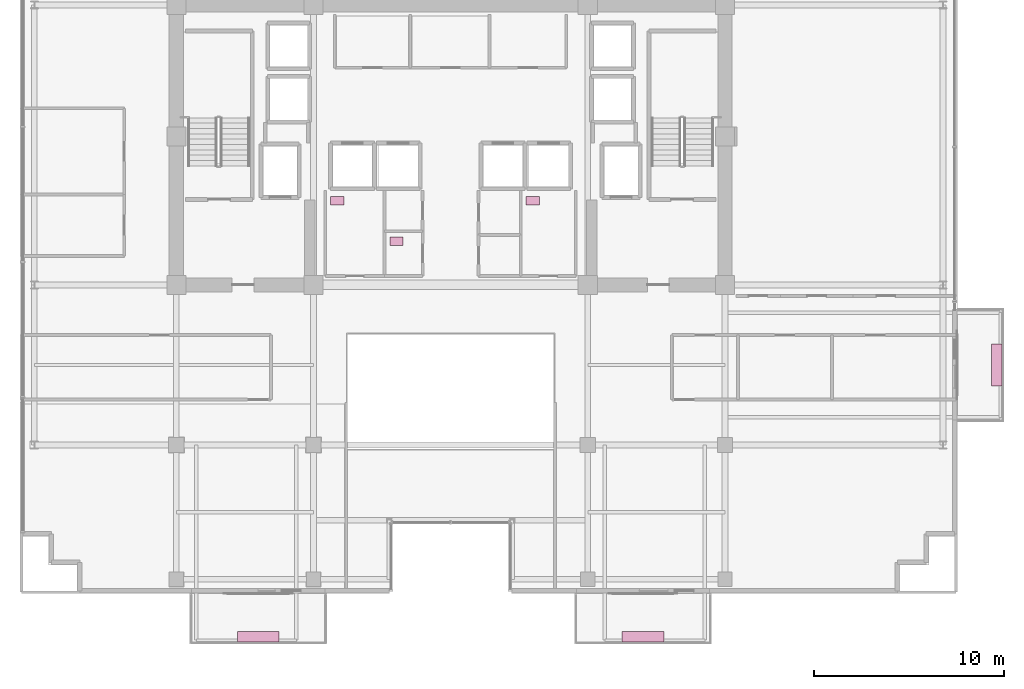
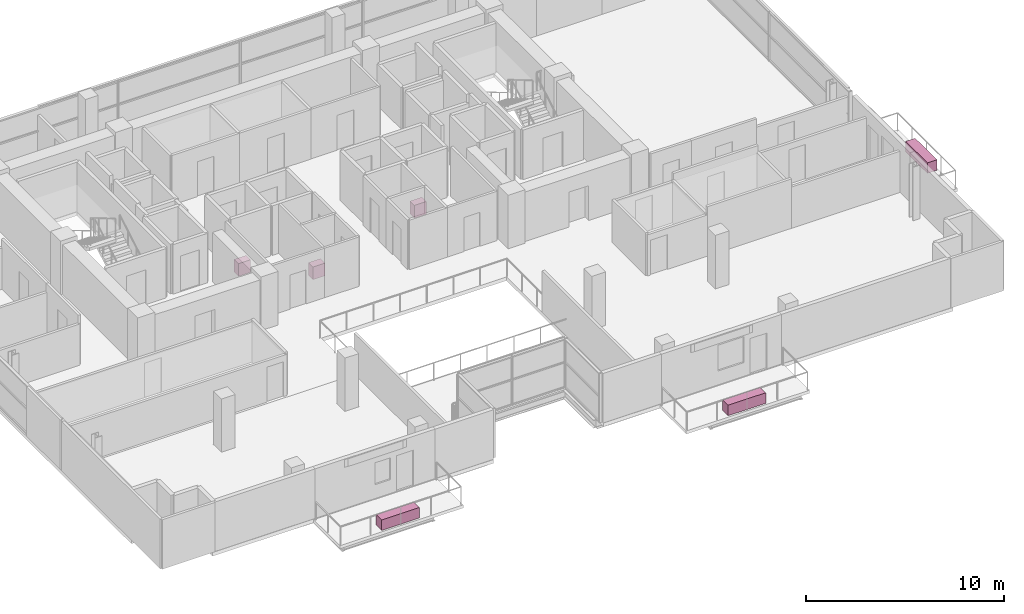
# One storey, part 22 of 22: 6 furnishings.
"""IFC4 building model written with IfcOpenShell, lengths in metres."""

from ifc_helpers import new_model, si_unit, direction, frame, origin, origin_2d, place, context, subcontext, project, spatial, rectangle, extrude, source, transform, mapped, material, type_object, element, save


model = new_model("IFC4")

# Units and contexts
model_context = context("Model", 3, precision=1e-05, world=origin(), true_north=direction((0.0, 1.0)))
body_context = subcontext(model_context, "Body", "Model", "MODEL_VIEW")
ifc_project = project(units=[si_unit("LENGTHUNIT", "METRE"), si_unit("AREAUNIT", "SQUARE_METRE"), si_unit("VOLUMEUNIT", "CUBIC_METRE"), si_unit("PLANEANGLEUNIT", "RADIAN"), si_unit("MASSUNIT", "GRAM", prefix="KILO")], contexts=[model_context])

# Site, building, storey
site_placement = place(None, origin())
site = spatial("IfcSite", under=ifc_project, at=site_placement, CompositionType="ELEMENT")
building_placement = place(site_placement, origin())
building = spatial("IfcBuilding", under=site, at=building_placement, Name="Zarnakvel Exchange Tower", CompositionType="ELEMENT")
storey_placement = place(building_placement, frame((0.0, 0.0, 195.699951171875)))
storey = spatial("IfcBuildingStorey", under=building, at=storey_placement, Name="L55", CompositionType="ELEMENT", Elevation=195.699951171875)

# Furnishings
ifc_material_1 = material(Name="Architectural Bronze Anodised Aluminium", Category="aluminium")
furnishing_element_type_1 = type_object("IfcFurnishingElementType", Name="PLNT-01", material=ifc_material_1)
shared_shape_1 = source(origin(), body_context, "Body", "SweptSolid", [
    extrude(rectangle(XDim=2.199951171875, YDim=0.550048828125, at=origin_2d()), origin(), (0.0, 0.0, 1.0), 0.64990234375),
])
for number, where, z_axis, x_axis, name in (
    (1, (-10.10009765625, -19.669921875, -0.034912109375), (0.0, 0.0, 1.0), (1.0, 0.0, 0.0), "L55 Balcony Greenery Planter BAL-L55-SW"),
    (2, (10.10009765625, -19.669921875, -0.034912109375), (0.0, 0.0, 1.0), (1.0, 0.0, 0.0), "L55 Balcony Greenery Planter BAL-L55-SE"),
    (3, (28.669921875, -5.39990234375, -0.034912109375), (0.0, 0.0, 1.0), (0.0, 1.0, 0.0), "L55 Balcony Greenery Planter BAL-L55-E"),
):
    element("IfcFurnishingElement", number, at=place(storey_placement, frame(where, z_axis=z_axis, x_axis=x_axis)), inside=storey, type_object=furnishing_element_type_1, Name=name, ObjectType="PLANTER", context=body_context, shape_type="MappedRepresentation", body=[
        mapped(shared_shape_1, transform((0.0, 0.0, 0.0), x_axis=(1.0, 0.0, 0.0), y_axis=(0.0, 1.0, 0.0), z_axis=(0.0, 0.0, 1.0), scale=1.0)),
    ])
ifc_material_2 = material(Name="Vitreous China Sanitaryware", Category="ceramic")
furnishing_element_type_2 = type_object("IfcFurnishingElementType", Name="SAN-WC", material=ifc_material_2)
shared_shape_2 = source(origin(), body_context, "Body", "SweptSolid", [
    extrude(rectangle(XDim=0.699951171875, YDim=0.449951171875, at=origin_2d()), origin(), (0.0, 0.0, 1.0), 0.780029296875),
])
for number, where, z_axis, x_axis, name in (
    (4, (-5.949951171875, 3.22998046875, 0.0), (0.0, 0.0, 1.0), (1.0, 0.0, 0.0), "L55 Sanitary Fixture (Male Toilet)"),
    (5, (-2.840087890625, 1.10009765625, 0.0), (0.0, 0.0, 1.0), (1.0, 0.0, 0.0), "L55 Sanitary Fixture (Accessible Toilet)"),
    (6, (4.31005859375, 3.22998046875, 0.0), (0.0, 0.0, 1.0), (1.0, 0.0, 0.0), "L55 Sanitary Fixture (Female Toilet)"),
):
    element("IfcFurnishingElement", number, at=place(storey_placement, frame(where, z_axis=z_axis, x_axis=x_axis)), inside=storey, type_object=furnishing_element_type_2, Name=name, ObjectType="SANITARY_FIXTURE", context=body_context, shape_type="MappedRepresentation", body=[
        mapped(shared_shape_2, transform((0.0, 0.0, 0.0), x_axis=(1.0, 0.0, 0.0), y_axis=(0.0, 1.0, 0.0), z_axis=(0.0, 0.0, 1.0), scale=1.0)),
    ])

save(model, "model.ifc")
